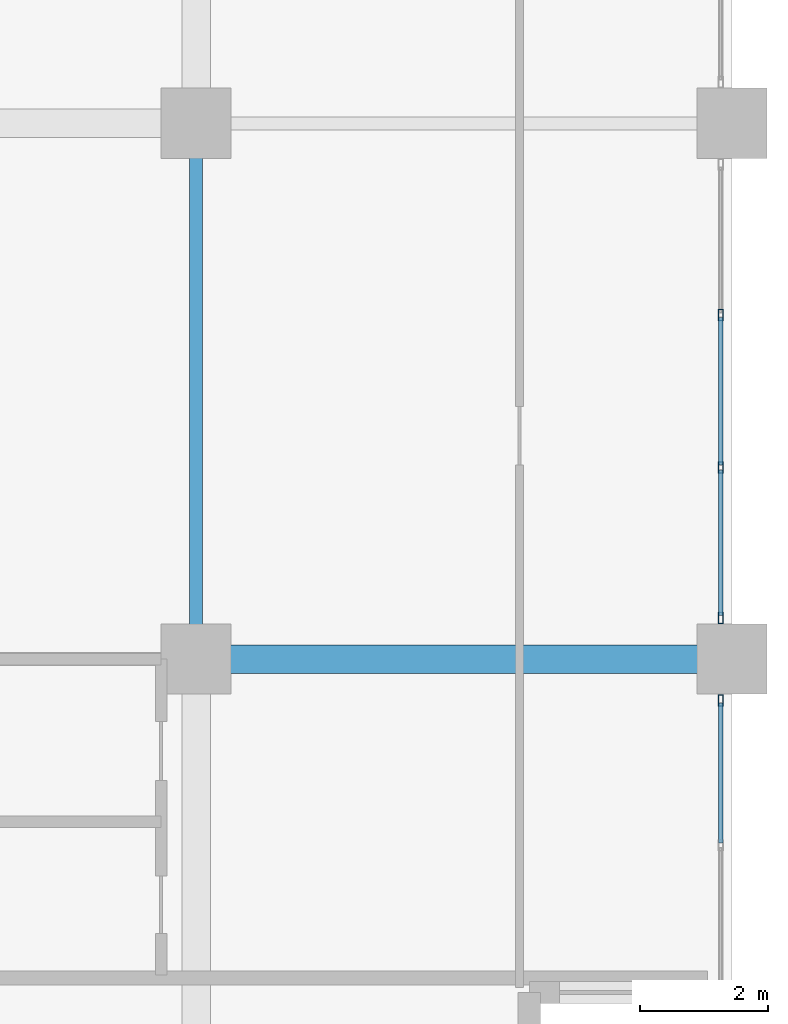
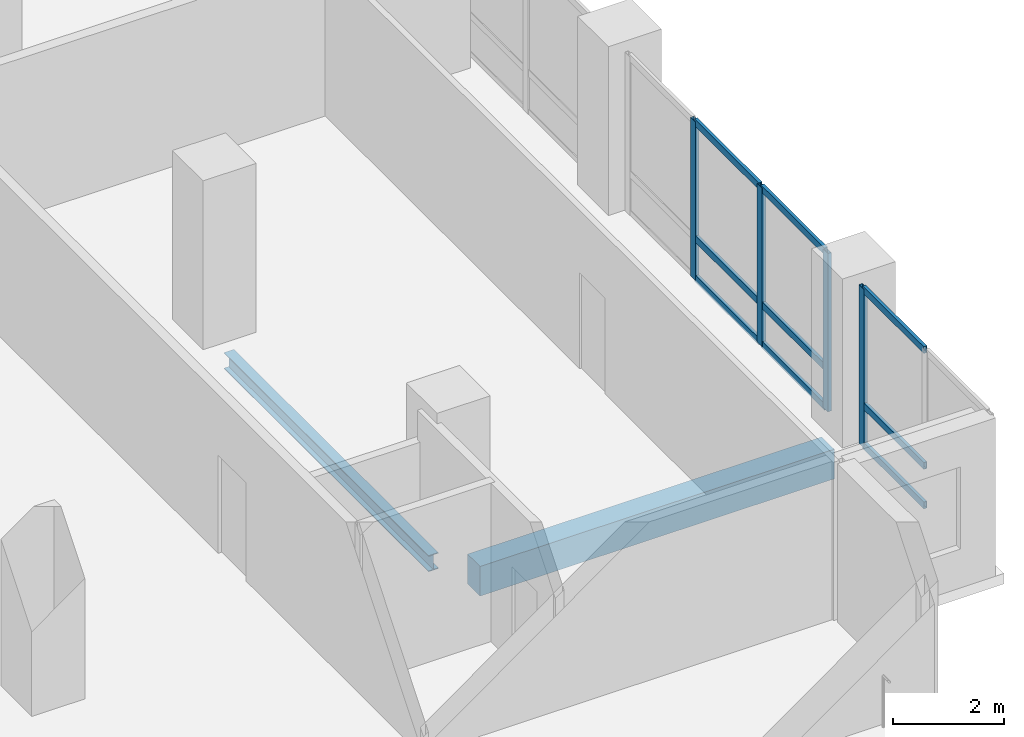
# One storey, part 4 of 21: 13 members, 2 beams, 2 elements without a shape of their own.
"""IFC4 building model written with IfcOpenShell, lengths in metres."""

from ifc_helpers import new_model, si_unit, direction, frame, origin, origin_2d, place, context, subcontext, project, spatial, rectangle, hollow_rectangle, i_section, extrude, material, layer, layer_set, material_profile, profile_set, type_object, element, aggregate, save


model = new_model("IFC4")

# Units and contexts
model_context = context("Model", 3, precision=1e-05, world=origin(), true_north=direction((0.0, 1.0)))
body_context = subcontext(model_context, "Body", "Model", "MODEL_VIEW")
ifc_project = project(units=[si_unit("LENGTHUNIT", "METRE"), si_unit("AREAUNIT", "SQUARE_METRE"), si_unit("VOLUMEUNIT", "CUBIC_METRE"), si_unit("PLANEANGLEUNIT", "RADIAN"), si_unit("MASSUNIT", "GRAM", prefix="KILO")], contexts=[model_context])

# Site, building, storey
site_placement = place(None, origin())
site = spatial("IfcSite", under=ifc_project, at=site_placement, CompositionType="ELEMENT")
building_placement = place(site_placement, origin())
building = spatial("IfcBuilding", under=site, at=building_placement, Name="Koriwani Terraces Tower", CompositionType="ELEMENT")
storey_placement = place(building_placement, frame((0.0, 0.0, 197.60009765625)))
storey = spatial("IfcBuildingStorey", under=building, at=storey_placement, Name="L48", CompositionType="ELEMENT", Elevation=197.60009765625)

# Beam
ifc_material_1 = material(Name="Concrete C50/60", Category="concrete")
ifc_material_profile_1 = material_profile(ifc_material_1, rectangle(XDim=0.449951171875, YDim=0.64990234375, at=origin_2d()), Name="Concrete C50/60", Category="LoadBearing")
ifc_profile_set_1 = profile_set([ifc_material_profile_1], Name="Concrete C50/60")
beam_type_1 = type_object("IfcBeamType", Name="BEAM_RC_GRID_450X650", PredefinedType="BEAM", material=ifc_profile_set_1)
beam_1_placement = place(storey_placement, frame((67.72998046875, 8.39990234375, -0.55517578125), z_axis=(1.0, 0.0, 0.0), x_axis=(0.0, 1.0, 0.0)))
element("IfcBeam", 1, at=beam_1_placement, inside=storey, type_object=beam_type_1, Name="L48 Grid Beam B (67.2-75.6m)", PredefinedType="BEAM", context=body_context, shape_type="SweptSolid", body=[
    extrude(rectangle(XDim=0.449951171875, YDim=0.64990234375, at=origin_2d()), origin(), (0.0, 0.0, 1.0), 7.340087890625),
])

# Curtain wall, members
ifc_material_2 = material(Name="Anodised Bronze Aluminium", Category="aluminium")
ifc_layer = layer(ifc_material_2, 0.169921875, Name="Anodised Bronze Aluminium")
ifc_layer_set = layer_set([ifc_layer], Name="Anodised Bronze Aluminium")
curtain_wall_type = type_object("IfcCurtainWallType", Name="CW_RES_ZONE3", PredefinedType="NOTDEFINED", material=ifc_layer_set)
curtain_wall_1_placement = place(storey_placement, origin())
curtain_wall_1 = element("IfcCurtainWall", 2, at=curtain_wall_1_placement, inside=storey, type_object=curtain_wall_type, Name="L48 Unitised Curtain Wall (E_TIP) Bay 3", PredefinedType="NOTDEFINED")
ifc_material_profile_2 = material_profile(ifc_material_2, hollow_rectangle(XDim=0.074951171875, YDim=0.179931640625, WallThickness=0.006103515625, at=origin_2d()), Name="Anodised Bronze Aluminium", Category="LoadBearing")
ifc_profile_set_2 = profile_set([ifc_material_profile_2], Name="Anodised Bronze Aluminium")
member_type_1 = type_object("IfcMemberType", Name="CW_MULLION_180X75", PredefinedType="MULLION", material=ifc_profile_set_2)
member_1_placement = place(storey_placement, frame((75.425048828125, 13.796630859375, 0.0), z_axis=(0.0, 0.0, 1.0), x_axis=(1.0, 0.0, 0.0)))
member_1 = element("IfcMember", 3, at=member_1_placement, type_object=member_type_1, Name="CW-Z3 mullion 2", PredefinedType="MULLION", context=body_context, shape_type="SweptSolid", body=[
    extrude(hollow_rectangle(XDim=0.074951171875, YDim=0.179931640625, WallThickness=0.006103515625, at=origin_2d()), origin(), (0.0, 0.0, 1.0), 3.469970703125),
])
member_2_placement = place(storey_placement, frame((75.425048828125, 11.4033203125, 0.0), z_axis=(0.0, 0.0, 1.0), x_axis=(1.0, 0.0, 0.0)))
member_2 = element("IfcMember", 4, at=member_2_placement, type_object=member_type_1, Name="CW-Z3 mullion 3", PredefinedType="MULLION", context=body_context, shape_type="SweptSolid", body=[
    extrude(hollow_rectangle(XDim=0.074951171875, YDim=0.179931640625, WallThickness=0.006103515625, at=origin_2d()), origin(), (0.0, 0.0, 1.0), 3.469970703125),
])
member_3_placement = place(storey_placement, frame((75.425048828125, 9.047607421875, 0.0), z_axis=(0.0, 0.0, 1.0), x_axis=(1.0, 0.0, 0.0)))
member_3 = element("IfcMember", 5, at=member_3_placement, type_object=member_type_1, Name="CW-Z3 mullion 4", PredefinedType="MULLION", context=body_context, shape_type="SweptSolid", body=[
    extrude(hollow_rectangle(XDim=0.074951171875, YDim=0.179931640625, WallThickness=0.006103515625, at=origin_2d()), origin(), (0.0, 0.0, 1.0), 3.469970703125),
])

# Curtain wall, member
curtain_wall_2_placement = place(storey_placement, origin())
curtain_wall_2 = element("IfcCurtainWall", 6, at=curtain_wall_2_placement, inside=storey, type_object=curtain_wall_type, Name="L48 Unitised Curtain Wall (E_TIP) Bay 4", PredefinedType="NOTDEFINED")
member_4_placement = place(storey_placement, frame((75.425048828125, 7.75244140625, 0.0), z_axis=(0.0, 0.0, 1.0), x_axis=(1.0, 0.0, 0.0)))
member_4 = element("IfcMember", 7, at=member_4_placement, type_object=member_type_1, Name="CW-Z3 mullion 1", PredefinedType="MULLION", context=body_context, shape_type="SweptSolid", body=[
    extrude(hollow_rectangle(XDim=0.074951171875, YDim=0.179931640625, WallThickness=0.006103515625, at=origin_2d()), origin(), (0.0, 0.0, 1.0), 3.469970703125),
])

# Member
ifc_material_profile_3 = material_profile(ifc_material_2, hollow_rectangle(XDim=0.06494140625, YDim=0.14990234375, WallThickness=0.0048828125, at=origin_2d()), Name="Anodised Bronze Aluminium", Category="LoadBearing")
ifc_profile_set_3 = profile_set([ifc_material_profile_3], Name="Anodised Bronze Aluminium")
member_type_2 = type_object("IfcMemberType", Name="CW_TRANSOM_150X65", PredefinedType="USERDEFINED", material=ifc_profile_set_3)
member_5_placement = place(storey_placement, frame((75.425048828125, 13.75927734375, 0.032470703125), z_axis=(0.0, -1.0, 0.0), x_axis=(1.0, 0.0, 0.0)))
member_5 = element("IfcMember", 8, at=member_5_placement, type_object=member_type_2, Name="CW-Z3 transom 2.1", ObjectType="TRANSOM", PredefinedType="USERDEFINED", context=body_context, shape_type="SweptSolid", body=[
    extrude(hollow_rectangle(XDim=0.06494140625, YDim=0.14990234375, WallThickness=0.0048828125, at=origin_2d()), origin(), (0.0, 0.0, 1.0), 2.318359375),
])

member_6_placement = place(storey_placement, frame((75.425048828125, 13.75927734375, 0.89990234375), z_axis=(0.0, -1.0, 0.0), x_axis=(1.0, 0.0, 0.0)))
member_6 = element("IfcMember", 9, at=member_6_placement, type_object=member_type_2, Name="CW-Z3 transom 2.2", ObjectType="TRANSOM", PredefinedType="USERDEFINED", context=body_context, shape_type="SweptSolid", body=[
    extrude(hollow_rectangle(XDim=0.06494140625, YDim=0.14990234375, WallThickness=0.0048828125, at=origin_2d()), origin(), (0.0, 0.0, 1.0), 2.318359375),
])

member_7_placement = place(storey_placement, frame((75.425048828125, 13.75927734375, 3.4375), z_axis=(0.0, -1.0, 0.0), x_axis=(1.0, 0.0, 0.0)))
member_7 = element("IfcMember", 10, at=member_7_placement, type_object=member_type_2, Name="CW-Z3 transom 2.3", ObjectType="TRANSOM", PredefinedType="USERDEFINED", context=body_context, shape_type="SweptSolid", body=[
    extrude(hollow_rectangle(XDim=0.06494140625, YDim=0.14990234375, WallThickness=0.0048828125, at=origin_2d()), origin(), (0.0, 0.0, 1.0), 2.318359375),
])

member_8_placement = place(storey_placement, frame((75.425048828125, 11.36572265625, 0.032470703125), z_axis=(0.0, -1.0, 0.0), x_axis=(1.0, 0.0, 0.0)))
member_8 = element("IfcMember", 11, at=member_8_placement, type_object=member_type_2, Name="CW-Z3 transom 3.1", ObjectType="TRANSOM", PredefinedType="USERDEFINED", context=body_context, shape_type="SweptSolid", body=[
    extrude(hollow_rectangle(XDim=0.06494140625, YDim=0.14990234375, WallThickness=0.0048828125, at=origin_2d()), origin(), (0.0, 0.0, 1.0), 2.28076171875),
])

member_9_placement = place(storey_placement, frame((75.425048828125, 11.36572265625, 0.89990234375), z_axis=(0.0, -1.0, 0.0), x_axis=(1.0, 0.0, 0.0)))
member_9 = element("IfcMember", 12, at=member_9_placement, type_object=member_type_2, Name="CW-Z3 transom 3.2", ObjectType="TRANSOM", PredefinedType="USERDEFINED", context=body_context, shape_type="SweptSolid", body=[
    extrude(hollow_rectangle(XDim=0.06494140625, YDim=0.14990234375, WallThickness=0.0048828125, at=origin_2d()), origin(), (0.0, 0.0, 1.0), 2.28076171875),
])

member_10_placement = place(storey_placement, frame((75.425048828125, 11.36572265625, 3.4375), z_axis=(0.0, -1.0, 0.0), x_axis=(1.0, 0.0, 0.0)))
member_10 = element("IfcMember", 13, at=member_10_placement, type_object=member_type_2, Name="CW-Z3 transom 3.3", ObjectType="TRANSOM", PredefinedType="USERDEFINED", context=body_context, shape_type="SweptSolid", body=[
    extrude(hollow_rectangle(XDim=0.06494140625, YDim=0.14990234375, WallThickness=0.0048828125, at=origin_2d()), origin(), (0.0, 0.0, 1.0), 2.28076171875),
])

aggregate(curtain_wall_1, [member_1, member_2, member_3, member_5, member_6, member_7, member_8, member_9, member_10])

member_11_placement = place(storey_placement, frame((75.425048828125, 7.715087890625, 0.032470703125), z_axis=(0.0, -1.0, 0.0), x_axis=(1.0, 0.0, 0.0)))
member_11 = element("IfcMember", 14, at=member_11_placement, type_object=member_type_2, Name="CW-Z3 transom 1.1", ObjectType="TRANSOM", PredefinedType="USERDEFINED", context=body_context, shape_type="SweptSolid", body=[
    extrude(hollow_rectangle(XDim=0.06494140625, YDim=0.14990234375, WallThickness=0.0048828125, at=origin_2d()), origin(), (0.0, 0.0, 1.0), 2.195068359375),
])

member_12_placement = place(storey_placement, frame((75.425048828125, 7.715087890625, 0.89990234375), z_axis=(0.0, -1.0, 0.0), x_axis=(1.0, 0.0, 0.0)))
member_12 = element("IfcMember", 15, at=member_12_placement, type_object=member_type_2, Name="CW-Z3 transom 1.2", ObjectType="TRANSOM", PredefinedType="USERDEFINED", context=body_context, shape_type="SweptSolid", body=[
    extrude(hollow_rectangle(XDim=0.06494140625, YDim=0.14990234375, WallThickness=0.0048828125, at=origin_2d()), origin(), (0.0, 0.0, 1.0), 2.195068359375),
])

member_13_placement = place(storey_placement, frame((75.425048828125, 7.715087890625, 3.4375), z_axis=(0.0, -1.0, 0.0), x_axis=(1.0, 0.0, 0.0)))
member_13 = element("IfcMember", 16, at=member_13_placement, type_object=member_type_2, Name="CW-Z3 transom 1.3", ObjectType="TRANSOM", PredefinedType="USERDEFINED", context=body_context, shape_type="SweptSolid", body=[
    extrude(hollow_rectangle(XDim=0.06494140625, YDim=0.14990234375, WallThickness=0.0048828125, at=origin_2d()), origin(), (0.0, 0.0, 1.0), 2.195068359375),
])

aggregate(curtain_wall_2, [member_4, member_11, member_12, member_13])

# Beam
ifc_material_3 = material(Name="Steel ASTM A572 Grade 50", Category="steel")
ifc_material_profile_4 = material_profile(ifc_material_3, i_section(OverallWidth=0.205078125, OverallDepth=0.35400390625, WebThickness=0.009521484375, FlangeThickness=0.016845703125, at=origin_2d()), Name="Steel ASTM A572 Grade 50", Category="LoadBearing")
ifc_profile_set_4 = profile_set([ifc_material_profile_4], Name="Steel ASTM A572 Grade 50")
beam_type_2 = type_object("IfcBeamType", Name="STEEL_BEAM_W360X79", PredefinedType="JOIST", material=ifc_profile_set_4)
beam_2_placement = place(storey_placement, frame((67.199951171875, 8.929931640625, -0.406982421875), z_axis=(0.0, 1.0, 0.0), x_axis=(-1.0, 0.0, 0.0)))
element("IfcBeam", 17, at=beam_2_placement, inside=storey, type_object=beam_type_2, Name="L48 Grid Beam 9 (8.4-16.8m)", PredefinedType="JOIST", context=body_context, shape_type="SweptSolid", body=[
    extrude(i_section(OverallWidth=0.205078125, OverallDepth=0.35400390625, WebThickness=0.009521484375, FlangeThickness=0.016845703125, at=origin_2d()), origin(), (0.0, 0.0, 1.0), 7.340087890625),
])

save(model, "model.ifc")
